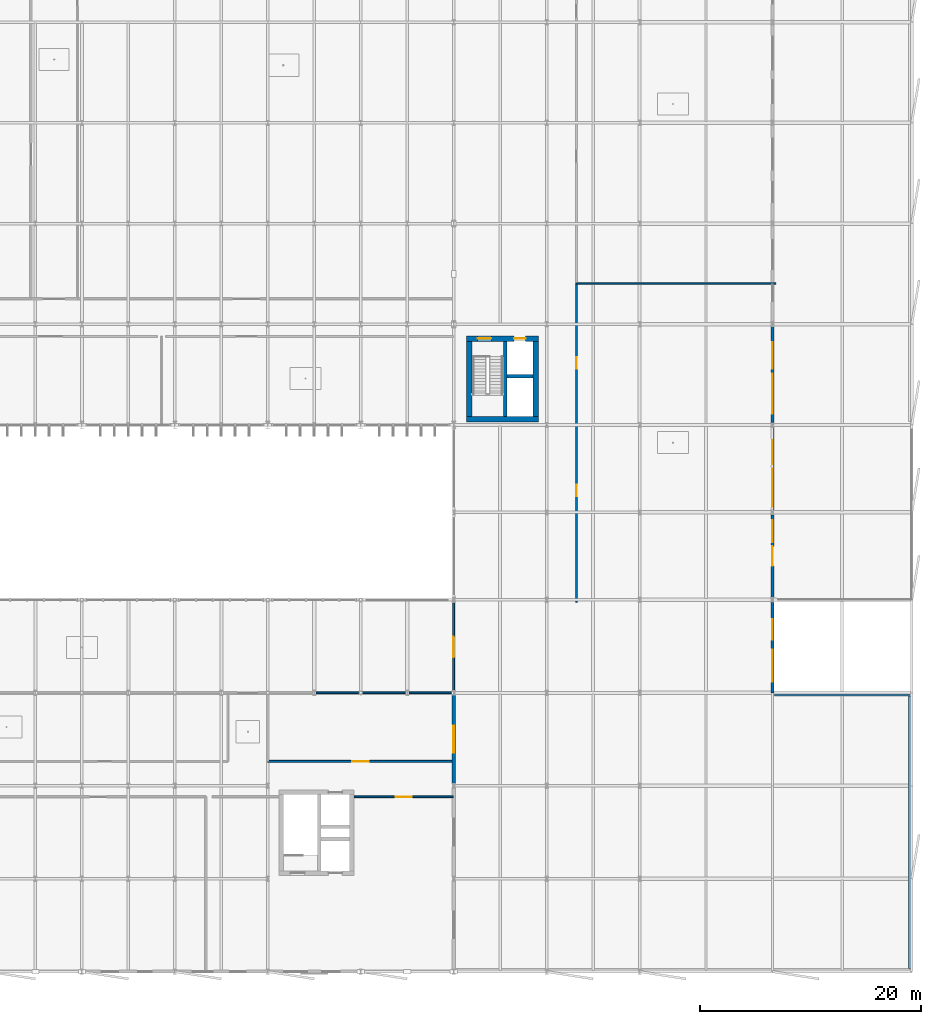
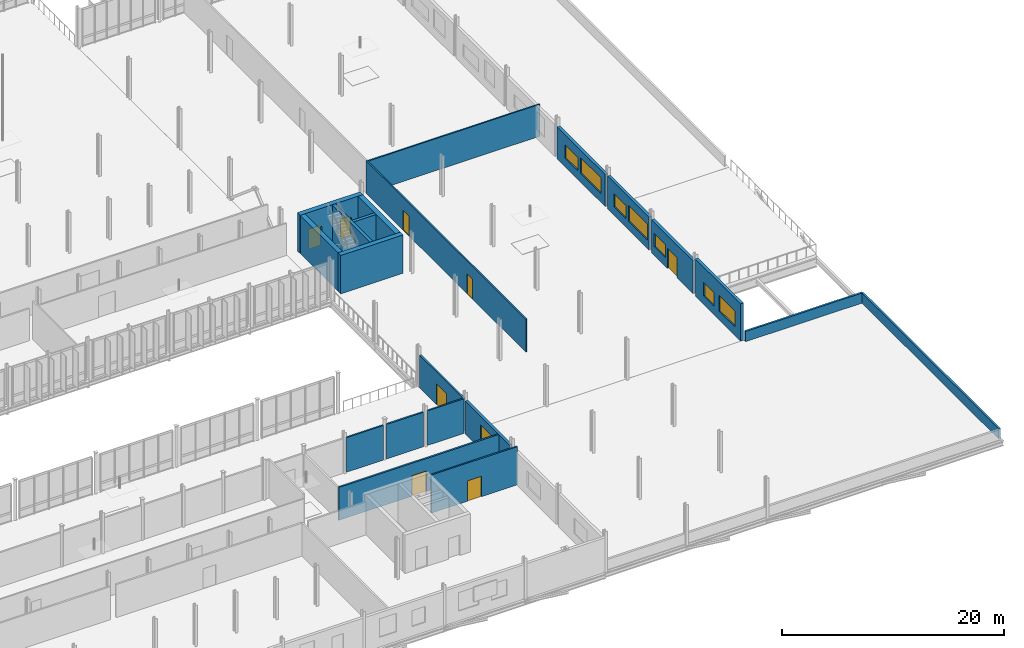
# One storey, part 107 of 139: 21 walls, 8 doors, 8 windows, 16 openings.
"""IFC4 building model written with IfcOpenShell, lengths in metres."""

from ifc_helpers import new_model, si_unit, derived_unit, direction, frame, frame_2d, origin, place, context, subcontext, project, spatial, rectangle, extrude, material, layer, layer_set, type_object, element, fill, save


model = new_model("IFC4")

# Units and contexts
model_context = context("Model", 3, precision=1e-05, world=origin(), true_north=direction((0.0, 1.0)))
body_context = subcontext(model_context, "Body", "Model", "MODEL_VIEW")
ifc_project = project(units=[si_unit("LENGTHUNIT", "METRE"), si_unit("AREAUNIT", "SQUARE_METRE"), si_unit("VOLUMEUNIT", "CUBIC_METRE"), si_unit("PLANEANGLEUNIT", "RADIAN"), si_unit("MASSUNIT", "GRAM", prefix="KILO"), derived_unit("THERMALTRANSMITTANCEUNIT", [(si_unit("MASSUNIT", "GRAM", prefix="KILO"), 1), (si_unit("TIMEUNIT", "SECOND"), -3), (si_unit("THERMODYNAMICTEMPERATUREUNIT", "KELVIN"), -1)])], contexts=[model_context])

# Site, building, storey
site_placement = place(None, origin())
site = spatial("IfcSite", under=ifc_project, at=site_placement, CompositionType="ELEMENT")
building_placement = place(site_placement, origin())
building = spatial("IfcBuilding", under=site, at=building_placement, Name="Makaiwela Harbour Ferry Terminal", CompositionType="ELEMENT")
storey_placement = place(building_placement, frame((0.0, 0.0, 5.10009765625)))
storey = spatial("IfcBuildingStorey", under=building, at=storey_placement, Name="L01", CompositionType="ELEMENT", Elevation=5.10009765625)

# Wall, opening, window
ifc_material_1 = material(Name="Precast concrete f'c 40 MPa (6000 psi)", Category="concrete")
ifc_layer_1 = layer(ifc_material_1, 0.280029296875)
ifc_layer_set_1 = layer_set([ifc_layer_1], Name="Precast concrete f'c 40 MPa (6000 psi)")
wall_type_1 = type_object("IfcWallType", Name="ENV-WL-EXT280", PredefinedType="SOLIDWALL", material=ifc_layer_set_1)
wall_1_placement = place(storey_placement, frame((138.60009765625, 24.982421875, 0.0), z_axis=(0.0, 0.0, 1.0), x_axis=(0.0, -1.0, 0.0)))
wall_1 = element("IfcWall", 1, at=wall_1_placement, inside=storey, type_object=wall_type_1, Name="Exterior Wall EW-048", PredefinedType="SOLIDWALL", context=body_context, shape_type="SweptSolid", body=[
    extrude(rectangle(XDim=7.96484375, YDim=0.280029296875, at=frame_2d((3.982421875, 0.0))), origin(), (0.0, 0.0, 1.0), 3.622802734375),
])
opening_1_placement = place(wall_1_placement, frame((2.782470703125, 0.0, 0.949951171875)))
opening_1 = element("IfcOpeningElement", 2, at=opening_1_placement, cuts=wall_1, Name="Opening W-25", PredefinedType="OPENING", context=body_context, shape_type="SweptSolid", body=[
    extrude(rectangle(XDim=2.39990234375, YDim=1.75, at=frame_2d((1.199951171875, 0.875))), frame((0.0, 0.14990234375, 0.0), z_axis=(0.0, -1.0, 0.0), x_axis=(1.0, 0.0, 0.0)), (0.0, 0.0, 1.0), 0.300048828125),
])
ifc_material_2 = material(Name="Laminated hurricane-impact low-E insulated glazing", Category="glass")
window_type_1 = type_object("IfcWindowType", Name="ENV-WIN-25", PartitioningType="SINGLE_PANEL", PredefinedType="WINDOW", material=ifc_material_2)
window_1_placement = place(opening_1_placement, origin())
window_1 = element("IfcWindow", 3, at=window_1_placement, inside=storey, type_object=window_type_1, Name="Exterior Window W-25", OverallHeight=1.75, OverallWidth=2.39990234375, PartitioningType="SINGLE_PANEL", PredefinedType="WINDOW", context=body_context, shape_type="SweptSolid", body=[
    extrude(rectangle(XDim=2.39990234375, YDim=1.75, at=frame_2d((1.199951171875, 0.875))), frame((0.0, 0.030029296875, 0.0), z_axis=(0.0, -1.0, 0.0), x_axis=(1.0, 0.0, 0.0)), (0.0, 0.0, 1.0), 0.06005859375),
])
fill(opening_1, window_1)

# Wall, openings, windows
ifc_material_3 = material(Name="Precast concrete f'c 40 MPa (6000 psi) with Hawaiian basalt rainscreen", Category="masonry")
ifc_layer_2 = layer(ifc_material_3, 0.300048828125)
ifc_layer_set_2 = layer_set([ifc_layer_2], Name="Precast concrete f'c 40 MPa (6000 psi) with Hawaiian basalt rainscreen")
wall_type_2 = type_object("IfcWallType", Name="ENV-WL-EXT300", PredefinedType="SOLIDWALL", material=ifc_layer_set_2)
wall_2_placement = place(storey_placement, frame((167.39990234375, 33.37646484375, 0.0), z_axis=(0.0, 0.0, 1.0), x_axis=(0.0, -1.0, 0.0)))
wall_2 = element("IfcWall", 4, at=wall_2_placement, inside=storey, type_object=wall_type_2, Name="Exterior Wall EW-053", PredefinedType="SOLIDWALL", context=body_context, shape_type="SweptSolid", body=[
    extrude(rectangle(XDim=8.176513671875, YDim=0.300048828125, at=frame_2d((4.08837890625, 0.0))), origin(), (0.0, 0.0, 1.0), 4.099853515625),
])
opening_2_placement = place(wall_2_placement, frame((1.52783203125, 0.0, 0.949951171875)))
opening_2 = element("IfcOpeningElement", 5, at=opening_2_placement, cuts=wall_2, Name="Opening W-12", PredefinedType="OPENING", context=body_context, shape_type="SweptSolid", body=[
    extrude(rectangle(XDim=1.85009765625, YDim=1.449951171875, at=frame_2d((0.925048828125, 0.72509765625))), frame((0.0, 0.159912109375, 0.0), z_axis=(0.0, -1.0, 0.0), x_axis=(1.0, 0.0, 0.0)), (0.0, 0.0, 1.0), 0.320068359375),
])
opening_3_placement = place(wall_2_placement, frame((4.273681640625, 0.0, 0.949951171875)))
opening_3 = element("IfcOpeningElement", 6, at=opening_3_placement, cuts=wall_2, Name="Opening W-27", PredefinedType="OPENING", context=body_context, shape_type="SweptSolid", body=[
    extrude(rectangle(XDim=2.89990234375, YDim=1.75, at=frame_2d((1.449951171875, 0.875))), frame((0.0, 0.159912109375, 0.0), z_axis=(0.0, -1.0, 0.0), x_axis=(1.0, 0.0, 0.0)), (0.0, 0.0, 1.0), 0.320068359375),
])
window_type_2 = type_object("IfcWindowType", Name="ENV-WIN-12", PartitioningType="SINGLE_PANEL", PredefinedType="WINDOW", material=ifc_material_2)
window_2_placement = place(opening_2_placement, origin())
window_2 = element("IfcWindow", 7, at=window_2_placement, inside=storey, type_object=window_type_2, Name="Exterior Window W-12", OverallHeight=1.449951171875, OverallWidth=1.85009765625, PartitioningType="SINGLE_PANEL", PredefinedType="WINDOW", context=body_context, shape_type="SweptSolid", body=[
    extrude(rectangle(XDim=1.85009765625, YDim=1.449951171875, at=frame_2d((0.925048828125, 0.72509765625))), frame((0.0, 0.030029296875, 0.0), z_axis=(0.0, -1.0, 0.0), x_axis=(1.0, 0.0, 0.0)), (0.0, 0.0, 1.0), 0.06005859375),
])
fill(opening_2, window_2)
window_type_3 = type_object("IfcWindowType", Name="ENV-WIN-27", PartitioningType="SINGLE_PANEL", PredefinedType="WINDOW", material=ifc_material_2)
window_3_placement = place(opening_3_placement, origin())
window_3 = element("IfcWindow", 8, at=window_3_placement, inside=storey, type_object=window_type_3, Name="Exterior Window W-27", OverallHeight=1.75, OverallWidth=2.89990234375, PartitioningType="SINGLE_PANEL", PredefinedType="WINDOW", context=body_context, shape_type="SweptSolid", body=[
    extrude(rectangle(XDim=2.89990234375, YDim=1.75, at=frame_2d((1.449951171875, 0.875))), frame((0.0, 0.030029296875, 0.0), z_axis=(0.0, -1.0, 0.0), x_axis=(1.0, 0.0, 0.0)), (0.0, 0.0, 1.0), 0.06005859375),
])
fill(opening_3, window_3)

# Wall, openings, door, window
wall_3_placement = place(storey_placement, frame((167.39990234375, 41.276611328125, 0.0), z_axis=(0.0, 0.0, 1.0), x_axis=(0.0, -1.0, 0.0)))
wall_3 = element("IfcWall", 9, at=wall_3_placement, inside=storey, type_object=wall_type_2, Name="Exterior Wall EW-055", PredefinedType="SOLIDWALL", context=body_context, shape_type="SweptSolid", body=[
    extrude(rectangle(XDim=7.453125, YDim=0.300048828125, at=frame_2d((3.7265625, 0.0))), origin(), (0.0, 0.0, 1.0), 3.622802734375),
])
opening_4_placement = place(wall_3_placement, frame((2.8515625, 0.0, 0.0)))
opening_4 = element("IfcOpeningElement", 10, at=opening_4_placement, cuts=wall_3, Name="Opening ED-07", PredefinedType="OPENING", context=body_context, shape_type="SweptSolid", body=[
    extrude(rectangle(XDim=1.75, YDim=2.25, at=frame_2d((0.875, 1.125))), frame((0.0, 0.159912109375, 0.0), z_axis=(0.0, -1.0, 0.0), x_axis=(1.0, 0.0, 0.0)), (0.0, 0.0, 1.0), 0.320068359375),
])
opening_5_placement = place(wall_3_placement, frame((0.490478515625, 0.0, 0.949951171875)))
opening_5 = element("IfcOpeningElement", 11, at=opening_5_placement, cuts=wall_3, Name="Opening W-13", PredefinedType="OPENING", context=body_context, shape_type="SweptSolid", body=[
    extrude(rectangle(XDim=2.0, YDim=1.449951171875, at=frame_2d((1.0, 0.72509765625))), frame((0.0, 0.159912109375, 0.0), z_axis=(0.0, -1.0, 0.0), x_axis=(1.0, 0.0, 0.0)), (0.0, 0.0, 1.0), 0.320068359375),
])
ifc_material_4 = material(Name="Marine anodised aluminium 6063-T6", Category="aluminium")
door_type_1 = type_object("IfcDoorType", Name="ENV-DR-TER175", OperationType="NOTDEFINED", PredefinedType="DOOR", material=ifc_material_4)
door_1_placement = place(opening_4_placement, origin())
door_1 = element("IfcDoor", 12, at=door_1_placement, inside=storey, type_object=door_type_1, Name="Exterior Door ED-07", OperationType="DOUBLE_DOOR_SINGLE_SWING", OverallHeight=2.25, OverallWidth=1.75, PredefinedType="DOOR", context=body_context, shape_type="SweptSolid", body=[
    extrude(rectangle(XDim=1.75, YDim=2.25, at=frame_2d((0.875, 1.125))), frame((0.0, 0.02490234375, 0.0), z_axis=(0.0, -1.0, 0.0), x_axis=(1.0, 0.0, 0.0)), (0.0, 0.0, 1.0), 0.050048828125),
])
fill(opening_4, door_1)
window_type_4 = type_object("IfcWindowType", Name="ENV-WIN-13", PartitioningType="SINGLE_PANEL", PredefinedType="WINDOW", material=ifc_material_2)
window_4_placement = place(opening_5_placement, origin())
window_4 = element("IfcWindow", 13, at=window_4_placement, inside=storey, type_object=window_type_4, Name="Exterior Window W-13", OverallHeight=1.449951171875, OverallWidth=2.0, PartitioningType="SINGLE_PANEL", PredefinedType="WINDOW", context=body_context, shape_type="SweptSolid", body=[
    extrude(rectangle(XDim=2.0, YDim=1.449951171875, at=frame_2d((1.0, 0.72509765625))), frame((0.0, 0.030029296875, 0.0), z_axis=(0.0, -1.0, 0.0), x_axis=(1.0, 0.0, 0.0)), (0.0, 0.0, 1.0), 0.06005859375),
])
fill(opening_5, window_4)

# Wall, openings, windows
wall_4_placement = place(storey_placement, frame((167.39990234375, 49.176513671875, 0.0), z_axis=(0.0, 0.0, 1.0), x_axis=(0.0, -1.0, 0.0)))
wall_4 = element("IfcWall", 14, at=wall_4_placement, inside=storey, type_object=wall_type_2, Name="Exterior Wall EW-057", PredefinedType="SOLIDWALL", context=body_context, shape_type="SweptSolid", body=[
    extrude(rectangle(XDim=7.453125, YDim=0.300048828125, at=frame_2d((3.7265625, 0.0))), origin(), (0.0, 0.0, 1.0), 3.622802734375),
])
opening_6_placement = place(wall_4_placement, frame((1.135986328125, 0.0, 0.949951171875)))
opening_6 = element("IfcOpeningElement", 15, at=opening_6_placement, cuts=wall_4, Name="Opening W-14", PredefinedType="OPENING", context=body_context, shape_type="SweptSolid", body=[
    extrude(rectangle(XDim=2.199951171875, YDim=1.449951171875, at=frame_2d((1.10009765625, 0.72509765625))), frame((0.0, 0.159912109375, 0.0), z_axis=(0.0, -1.0, 0.0), x_axis=(1.0, 0.0, 0.0)), (0.0, 0.0, 1.0), 0.320068359375),
])
opening_7_placement = place(wall_4_placement, frame((3.7529296875, 0.0, 0.949951171875)))
opening_7 = element("IfcOpeningElement", 16, at=opening_7_placement, cuts=wall_4, Name="Opening W-29", PredefinedType="OPENING", context=body_context, shape_type="SweptSolid", body=[
    extrude(rectangle(XDim=3.39990234375, YDim=1.75, at=frame_2d((1.699951171875, 0.875))), frame((0.0, 0.159912109375, 0.0), z_axis=(0.0, -1.0, 0.0), x_axis=(1.0, 0.0, 0.0)), (0.0, 0.0, 1.0), 0.320068359375),
])
window_type_5 = type_object("IfcWindowType", Name="ENV-WIN-14", PartitioningType="SINGLE_PANEL", PredefinedType="WINDOW", material=ifc_material_2)
window_5_placement = place(opening_6_placement, origin())
window_5 = element("IfcWindow", 17, at=window_5_placement, inside=storey, type_object=window_type_5, Name="Exterior Window W-14", OverallHeight=1.449951171875, OverallWidth=2.199951171875, PartitioningType="SINGLE_PANEL", PredefinedType="WINDOW", context=body_context, shape_type="SweptSolid", body=[
    extrude(rectangle(XDim=2.199951171875, YDim=1.449951171875, at=frame_2d((1.10009765625, 0.72509765625))), frame((0.0, 0.030029296875, 0.0), z_axis=(0.0, -1.0, 0.0), x_axis=(1.0, 0.0, 0.0)), (0.0, 0.0, 1.0), 0.06005859375),
])
fill(opening_6, window_5)
window_type_6 = type_object("IfcWindowType", Name="ENV-WIN-29", PartitioningType="SINGLE_PANEL", PredefinedType="WINDOW", material=ifc_material_2)
window_6_placement = place(opening_7_placement, origin())
window_6 = element("IfcWindow", 18, at=window_6_placement, inside=storey, type_object=window_type_6, Name="Exterior Window W-29", OverallHeight=1.75, OverallWidth=3.39990234375, PartitioningType="SINGLE_PANEL", PredefinedType="WINDOW", context=body_context, shape_type="SweptSolid", body=[
    extrude(rectangle(XDim=3.39990234375, YDim=1.75, at=frame_2d((1.699951171875, 0.875))), frame((0.0, 0.030029296875, 0.0), z_axis=(0.0, -1.0, 0.0), x_axis=(1.0, 0.0, 0.0)), (0.0, 0.0, 1.0), 0.06005859375),
])
fill(opening_7, window_6)

wall_5_placement = place(storey_placement, frame((167.39990234375, 58.276611328125, 0.0), z_axis=(0.0, 0.0, 1.0), x_axis=(0.0, -1.0, 0.0)))
wall_5 = element("IfcWall", 19, at=wall_5_placement, inside=storey, type_object=wall_type_2, Name="Exterior Wall EW-059", PredefinedType="SOLIDWALL", context=body_context, shape_type="SweptSolid", body=[
    extrude(rectangle(XDim=8.653076171875, YDim=0.300048828125, at=frame_2d((4.32666015625, 0.0))), origin(), (0.0, 0.0, 1.0), 3.52197265625),
])
opening_8_placement = place(wall_5_placement, frame((1.39599609375, 0.0, 0.949951171875)))
opening_8 = element("IfcOpeningElement", 20, at=opening_8_placement, cuts=wall_5, Name="Opening W-15", PredefinedType="OPENING", context=body_context, shape_type="SweptSolid", body=[
    extrude(rectangle(XDim=2.39990234375, YDim=1.449951171875, at=frame_2d((1.199951171875, 0.72509765625))), frame((0.0, 0.159912109375, 0.0), z_axis=(0.0, -1.0, 0.0), x_axis=(1.0, 0.0, 0.0)), (0.0, 0.0, 1.0), 0.320068359375),
])
opening_9_placement = place(wall_5_placement, frame((4.232177734375, 0.0, 0.949951171875)))
opening_9 = element("IfcOpeningElement", 21, at=opening_9_placement, cuts=wall_5, Name="Opening W-30", PredefinedType="OPENING", context=body_context, shape_type="SweptSolid", body=[
    extrude(rectangle(XDim=3.64990234375, YDim=1.75, at=frame_2d((1.824951171875, 0.875))), frame((0.0, 0.159912109375, 0.0), z_axis=(0.0, -1.0, 0.0), x_axis=(1.0, 0.0, 0.0)), (0.0, 0.0, 1.0), 0.320068359375),
])
window_type_7 = type_object("IfcWindowType", Name="ENV-WIN-15", PartitioningType="SINGLE_PANEL", PredefinedType="WINDOW", material=ifc_material_2)
window_7_placement = place(opening_8_placement, origin())
window_7 = element("IfcWindow", 22, at=window_7_placement, inside=storey, type_object=window_type_7, Name="Exterior Window W-15", OverallHeight=1.449951171875, OverallWidth=2.39990234375, PartitioningType="SINGLE_PANEL", PredefinedType="WINDOW", context=body_context, shape_type="SweptSolid", body=[
    extrude(rectangle(XDim=2.39990234375, YDim=1.449951171875, at=frame_2d((1.199951171875, 0.72509765625))), frame((0.0, 0.030029296875, 0.0), z_axis=(0.0, -1.0, 0.0), x_axis=(1.0, 0.0, 0.0)), (0.0, 0.0, 1.0), 0.06005859375),
])
fill(opening_8, window_7)
window_type_8 = type_object("IfcWindowType", Name="ENV-WIN-30", PartitioningType="SINGLE_PANEL", PredefinedType="WINDOW", material=ifc_material_2)
window_8_placement = place(opening_9_placement, origin())
window_8 = element("IfcWindow", 23, at=window_8_placement, inside=storey, type_object=window_type_8, Name="Exterior Window W-30", OverallHeight=1.75, OverallWidth=3.64990234375, PartitioningType="SINGLE_PANEL", PredefinedType="WINDOW", context=body_context, shape_type="SweptSolid", body=[
    extrude(rectangle(XDim=3.64990234375, YDim=1.75, at=frame_2d((1.824951171875, 0.875))), frame((0.0, 0.030029296875, 0.0), z_axis=(0.0, -1.0, 0.0), x_axis=(1.0, 0.0, 0.0)), (0.0, 0.0, 1.0), 0.06005859375),
])
fill(opening_9, window_8)

# Walls
ifc_layer_3 = layer(ifc_material_1, 0.199951171875)
ifc_layer_set_3 = layer_set([ifc_layer_3], Name="Precast concrete f'c 40 MPa (6000 psi)")
wall_type_3 = type_object("IfcWallType", Name="ENV-WL-PAR200", PredefinedType="PARAPET", material=ifc_layer_set_3)
wall_6_placement = place(storey_placement, frame((179.800048828125, 0.31005859375, 0.0), z_axis=(0.0, 0.0, 1.0), x_axis=(0.0, 1.0, 0.0)))
element("IfcWall", 24, at=wall_6_placement, inside=storey, type_object=wall_type_3, Name="Roof Parapet Wall PW-002", PredefinedType="PARAPET", context=body_context, shape_type="SweptSolid", body=[
    extrude(rectangle(XDim=24.579833984375, YDim=0.199951171875, at=frame_2d((12.2900390625, 0.0))), origin(), (0.0, 0.0, 1.0), 1.119873046875),
])
wall_7_placement = place(storey_placement, frame((179.800048828125, 25.0, 0.0), z_axis=(0.0, 0.0, 1.0), x_axis=(-1.0, 0.0, 0.0)))
element("IfcWall", 25, at=wall_7_placement, inside=storey, type_object=wall_type_3, Name="Roof Parapet Wall PW-003", PredefinedType="PARAPET", context=body_context, shape_type="SweptSolid", body=[
    extrude(rectangle(XDim=12.199951171875, YDim=0.199951171875, at=frame_2d((6.10009765625, 0.0))), origin(), (0.0, 0.0, 1.0), 1.119873046875),
])
ifc_material_5 = material(Name="Fire-rated gypsum board on steel studs", Category="steel")
ifc_layer_4 = layer(ifc_material_5, 0.1650390625)
ifc_layer_set_4 = layer_set([ifc_layer_4], Name="Fire-rated gypsum board on steel studs")
wall_type_4 = type_object("IfcWallType", Name="INT-WL-FIR165", PredefinedType="PARTITIONING", material=ifc_layer_set_4)
wall_8_placement = place(storey_placement, frame((126.199462890625, 25.199951171875, 0.0), z_axis=(0.0, 0.0, 1.0), x_axis=(1.0, 0.0, 0.0)))
element("IfcWall", 26, at=wall_8_placement, inside=storey, type_object=wall_type_4, Name="Interior Wall IW-0524", PredefinedType="PARTITIONING", context=body_context, shape_type="SweptSolid", body=[
    extrude(rectangle(XDim=3.8486328125, YDim=0.1650390625, at=frame_2d((1.92431640625, 0.0))), origin(), (0.0, 0.0, 1.0), 3.803955078125),
])
wall_9_placement = place(storey_placement, frame((130.35205078125, 25.199951171875, 0.0), z_axis=(0.0, 0.0, 1.0), x_axis=(1.0, 0.0, 0.0)))
element("IfcWall", 27, at=wall_9_placement, inside=storey, type_object=wall_type_4, Name="Interior Wall IW-0525", PredefinedType="PARTITIONING", context=body_context, shape_type="SweptSolid", body=[
    extrude(rectangle(XDim=3.848388671875, YDim=0.1650390625, at=frame_2d((1.92431640625, 0.0))), origin(), (0.0, 0.0, 1.0), 3.803955078125),
])
wall_10_placement = place(storey_placement, frame((134.599609375, 25.199951171875, 0.0), z_axis=(0.0, 0.0, 1.0), x_axis=(1.0, 0.0, 0.0)))
element("IfcWall", 28, at=wall_10_placement, inside=storey, type_object=wall_type_4, Name="Interior Wall IW-0526", PredefinedType="PARTITIONING", context=body_context, shape_type="SweptSolid", body=[
    extrude(rectangle(XDim=3.80029296875, YDim=0.1650390625, at=frame_2d((1.900146484375, 0.0))), origin(), (0.0, 0.0, 1.0), 3.803955078125),
])

# Wall, opening, door
wall_11_placement = place(storey_placement, frame((129.60009765625, 15.800048828125, 0.0), z_axis=(0.0, 0.0, 1.0), x_axis=(1.0, 0.0, 0.0)))
wall_11 = element("IfcWall", 29, at=wall_11_placement, inside=storey, type_object=wall_type_4, Name="Interior Wall IW-0532", PredefinedType="PARTITIONING", context=body_context, shape_type="SweptSolid", body=[
    extrude(rectangle(XDim=8.9599609375, YDim=0.1650390625, at=frame_2d((4.47998046875, 0.0))), origin(), (0.0, 0.0, 1.0), 4.199951171875),
])
opening_10_placement = place(wall_11_placement, frame((3.7548828125, 0.0, 0.0)))
opening_10 = element("IfcOpeningElement", 30, at=opening_10_placement, cuts=wall_11, Name="Opening D-16", PredefinedType="OPENING", context=body_context, shape_type="SweptSolid", body=[
    extrude(rectangle(XDim=1.449951171875, YDim=2.25, at=frame_2d((0.72509765625, 1.125))), frame((0.0, 0.092529296875, 0.0), z_axis=(0.0, -1.0, 0.0), x_axis=(1.0, 0.0, 0.0)), (0.0, 0.0, 1.0), 0.18505859375),
])
ifc_material_6 = material(Name="Insulated galvanised fire-rated steel leaf and frame", Category="steel")
door_type_2 = type_object("IfcDoorType", Name="INT-DR-STR145", OperationType="NOTDEFINED", PredefinedType="DOOR", material=ifc_material_6)
door_2_placement = place(opening_10_placement, origin())
door_2 = element("IfcDoor", 31, at=door_2_placement, inside=storey, type_object=door_type_2, Name="Door D-16", OperationType="SINGLE_SWING_RIGHT", OverallHeight=2.25, OverallWidth=1.449951171875, PredefinedType="DOOR", context=body_context, shape_type="SweptSolid", body=[
    extrude(rectangle(XDim=1.449951171875, YDim=2.25, at=frame_2d((0.72509765625, 1.125))), frame((0.0, 0.02490234375, 0.0), z_axis=(0.0, -1.0, 0.0), x_axis=(1.0, 0.0, 0.0)), (0.0, 0.0, 1.0), 0.050048828125),
])
fill(opening_10, door_2)

ifc_layer_5 = layer(ifc_material_5, 0.179931640625)
ifc_layer_set_5 = layer_set([ifc_layer_5], Name="Fire-rated gypsum board on steel studs")
wall_type_5 = type_object("IfcWallType", Name="INT-WL-FIR180", PredefinedType="PARTITIONING", material=ifc_layer_set_5)
wall_12_placement = place(storey_placement, frame((138.60009765625, 25.39990234375, 0.0), z_axis=(0.0, 0.0, 1.0), x_axis=(0.0, 1.0, 0.0)))
wall_12 = element("IfcWall", 32, at=wall_12_placement, inside=storey, type_object=wall_type_5, Name="Interior Wall IW-0510", PredefinedType="PARTITIONING", context=body_context, shape_type="SweptSolid", body=[
    extrude(rectangle(XDim=7.900146484375, YDim=0.179931640625, at=frame_2d((3.9501953125, 0.0))), origin(), (0.0, 0.0, 1.0), 3.622802734375),
])
opening_11_placement = place(wall_12_placement, frame((3.02490234375, 0.0, 0.0)))
opening_11 = element("IfcOpeningElement", 33, at=opening_11_placement, cuts=wall_12, Name="Opening D-05", PredefinedType="OPENING", context=body_context, shape_type="SweptSolid", body=[
    extrude(rectangle(XDim=1.85009765625, YDim=2.300048828125, at=frame_2d((0.925048828125, 1.14990234375))), frame((0.0, 0.099853515625, 0.0), z_axis=(0.0, -1.0, 0.0), x_axis=(1.0, 0.0, 0.0)), (0.0, 0.0, 1.0), 0.199951171875),
])
door_type_3 = type_object("IfcDoorType", Name="INT-DR-COR185", OperationType="NOTDEFINED", PredefinedType="DOOR", material=ifc_material_6)
door_3_placement = place(opening_11_placement, origin())
door_3 = element("IfcDoor", 34, at=door_3_placement, inside=storey, type_object=door_type_3, Name="Door D-05", OperationType="DOUBLE_DOOR_SINGLE_SWING", OverallHeight=2.300048828125, OverallWidth=1.85009765625, PredefinedType="DOOR", context=body_context, shape_type="SweptSolid", body=[
    extrude(rectangle(XDim=1.85009765625, YDim=2.300048828125, at=frame_2d((0.925048828125, 1.14990234375))), frame((0.0, 0.02490234375, 0.0), z_axis=(0.0, -1.0, 0.0), x_axis=(1.0, 0.0, 0.0)), (0.0, 0.0, 1.0), 0.050048828125),
])
fill(opening_11, door_3)

wall_13_placement = place(storey_placement, frame((121.800048828125, 19.0, 0.0), z_axis=(0.0, 0.0, 1.0), x_axis=(1.0, 0.0, 0.0)))
wall_13 = element("IfcWall", 35, at=wall_13_placement, inside=storey, type_object=wall_type_5, Name="Interior Wall IW-0535", PredefinedType="PARTITIONING", context=body_context, shape_type="SweptSolid", body=[
    extrude(rectangle(XDim=16.760009765625, YDim=0.179931640625, at=frame_2d((8.3798828125, 0.0))), origin(), (0.0, 0.0, 1.0), 3.622802734375),
])
opening_12_placement = place(wall_13_placement, frame((7.6298828125, 0.0, 0.0)))
opening_12 = element("IfcOpeningElement", 36, at=opening_12_placement, cuts=wall_13, Name="Opening D-06", PredefinedType="OPENING", context=body_context, shape_type="SweptSolid", body=[
    extrude(rectangle(XDim=1.5, YDim=2.25, at=frame_2d((0.75, 1.125))), frame((0.0, 0.099853515625, 0.0), z_axis=(0.0, -1.0, 0.0), x_axis=(1.0, 0.0, 0.0)), (0.0, 0.0, 1.0), 0.199951171875),
])
door_type_4 = type_object("IfcDoorType", Name="INT-DR-PLT150", OperationType="NOTDEFINED", PredefinedType="DOOR", material=ifc_material_6)
door_4_placement = place(opening_12_placement, frame((1.5, 0.0, 0.0), z_axis=(0.0, 0.0, 1.0), x_axis=(-1.0, 0.0, 0.0)))
door_4 = element("IfcDoor", 37, at=door_4_placement, inside=storey, type_object=door_type_4, Name="Door D-06", OperationType="SINGLE_SWING_LEFT", OverallHeight=2.25, OverallWidth=1.5, PredefinedType="DOOR", context=body_context, shape_type="SweptSolid", body=[
    extrude(rectangle(XDim=1.5, YDim=2.25, at=frame_2d((0.75, 1.125))), frame((0.0, 0.02490234375, 0.0), z_axis=(0.0, -1.0, 0.0), x_axis=(1.0, 0.0, 0.0)), (0.0, 0.0, 1.0), 0.050048828125),
])
fill(opening_12, door_4)

# Wall
ifc_material_7 = material(Name="Moisture-resistant acoustic gypsum partition", Category="gypsum")
ifc_layer_6 = layer(ifc_material_7, 0.139892578125)
ifc_layer_set_6 = layer_set([ifc_layer_6], Name="Moisture-resistant acoustic gypsum partition")
wall_type_6 = type_object("IfcWallType", Name="INT-WL-PRT140", PredefinedType="PARTITIONING", material=ifc_layer_set_6)
wall_14_placement = place(storey_placement, frame((149.699951171875, 62.199951171875, 0.0), z_axis=(0.0, 0.0, 1.0), x_axis=(1.0, 0.0, 0.0)))
element("IfcWall", 38, at=wall_14_placement, inside=storey, type_object=wall_type_6, Name="Interior Wall IW-0538", PredefinedType="PARTITIONING", context=body_context, shape_type="SweptSolid", body=[
    extrude(rectangle(XDim=18.0, YDim=0.139892578125, at=frame_2d((9.0, 0.0))), origin(), (0.0, 0.0, 1.0), 3.52197265625),
])

# Wall, openings, doors
ifc_layer_7 = layer(ifc_material_7, 0.14990234375)
ifc_layer_set_7 = layer_set([ifc_layer_7], Name="Moisture-resistant acoustic gypsum partition")
wall_type_7 = type_object("IfcWallType", Name="INT-WL-PRT150", PredefinedType="PARTITIONING", material=ifc_layer_set_7)
wall_15_placement = place(storey_placement, frame((149.699951171875, 33.39990234375, 0.0), z_axis=(0.0, 0.0, 1.0), x_axis=(0.0, 1.0, 0.0)))
wall_15 = element("IfcWall", 39, at=wall_15_placement, inside=storey, type_object=wall_type_7, Name="Interior Wall IW-0536", PredefinedType="PARTITIONING", context=body_context, shape_type="SweptSolid", body=[
    extrude(rectangle(XDim=28.800048828125, YDim=0.14990234375, at=frame_2d((14.39990234375, 0.0))), origin(), (0.0, 0.0, 1.0), 3.602783203125),
])
opening_13_placement = place(wall_15_placement, frame((9.570068359375, 0.0, 0.0)))
opening_13 = element("IfcOpeningElement", 40, at=opening_13_placement, cuts=wall_15, Name="Opening D-13", PredefinedType="OPENING", context=body_context, shape_type="SweptSolid", body=[
    extrude(rectangle(XDim=1.02001953125, YDim=2.199951171875, at=frame_2d((0.510009765625, 1.10009765625))), frame((0.0, 0.0849609375, 0.0), z_axis=(0.0, -1.0, 0.0), x_axis=(1.0, 0.0, 0.0)), (0.0, 0.0, 1.0), 0.169921875),
])
opening_14_placement = place(wall_15_placement, frame((21.06005859375, 0.0, 0.0)))
opening_14 = element("IfcOpeningElement", 41, at=opening_14_placement, cuts=wall_15, Name="Opening D-14", PredefinedType="OPENING", context=body_context, shape_type="SweptSolid", body=[
    extrude(rectangle(XDim=1.080078125, YDim=2.199951171875, at=frame_2d((0.5400390625, 1.10009765625))), frame((0.0, 0.0849609375, 0.0), z_axis=(0.0, -1.0, 0.0), x_axis=(1.0, 0.0, 0.0)), (0.0, 0.0, 1.0), 0.169921875),
])
ifc_material_8 = material(Name="Solid-core marine hardwood and painted steel frame", Category="steel")
door_type_5 = type_object("IfcDoorType", Name="INT-DR-OFF102", OperationType="NOTDEFINED", PredefinedType="DOOR", material=ifc_material_8)
door_5_placement = place(opening_13_placement, frame((1.02001953125, 0.0, 0.0), z_axis=(0.0, 0.0, 1.0), x_axis=(-1.0, 0.0, 0.0)))
door_5 = element("IfcDoor", 42, at=door_5_placement, inside=storey, type_object=door_type_5, Name="Door D-13", OperationType="SINGLE_SWING_RIGHT", OverallHeight=2.199951171875, OverallWidth=1.02001953125, PredefinedType="DOOR", context=body_context, shape_type="SweptSolid", body=[
    extrude(rectangle(XDim=1.02001953125, YDim=2.199951171875, at=frame_2d((0.510009765625, 1.10009765625))), frame((0.0, 0.02490234375, 0.0), z_axis=(0.0, -1.0, 0.0), x_axis=(1.0, 0.0, 0.0)), (0.0, 0.0, 1.0), 0.050048828125),
])
fill(opening_13, door_5)
door_type_6 = type_object("IfcDoorType", Name="INT-DR-OFF108", OperationType="NOTDEFINED", PredefinedType="DOOR", material=ifc_material_8)
door_6_placement = place(opening_14_placement, frame((1.080078125, 0.0, 0.0), z_axis=(0.0, 0.0, 1.0), x_axis=(-1.0, 0.0, 0.0)))
door_6 = element("IfcDoor", 43, at=door_6_placement, inside=storey, type_object=door_type_6, Name="Door D-14", OperationType="SINGLE_SWING_LEFT", OverallHeight=2.199951171875, OverallWidth=1.080078125, PredefinedType="DOOR", context=body_context, shape_type="SweptSolid", body=[
    extrude(rectangle(XDim=1.080078125, YDim=2.199951171875, at=frame_2d((0.5400390625, 1.10009765625))), frame((0.0, 0.02490234375, 0.0), z_axis=(0.0, -1.0, 0.0), x_axis=(1.0, 0.0, 0.0)), (0.0, 0.0, 1.0), 0.050048828125),
])
fill(opening_14, door_6)

# Walls
ifc_material_9 = material(Name="Concrete f'c 45 MPa (6500 psi)", Category="concrete")
ifc_layer_8 = layer(ifc_material_9, 0.320068359375)
ifc_layer_set_8 = layer_set([ifc_layer_8], Name="Concrete f'c 45 MPa (6500 psi)")
wall_type_8 = type_object("IfcWallType", Name="INT-WL-SHR320", PredefinedType="SHEAR", material=ifc_layer_set_8)
wall_16_placement = place(storey_placement, frame((143.239990234375, 50.159912109375, 0.0), z_axis=(0.0, 0.0, 1.0), x_axis=(0.0, 1.0, 0.0)))
element("IfcWall", 44, at=wall_16_placement, inside=storey, type_object=wall_type_8, Name="Interior Wall IW-0200", PredefinedType="SHEAR", context=body_context, shape_type="SweptSolid", body=[
    extrude(rectangle(XDim=6.780029296875, YDim=0.320068359375, at=frame_2d((3.39013671875, 0.0))), origin(), (0.0, 0.0, 1.0), 4.219970703125),
])
wall_17_placement = place(storey_placement, frame((143.405029296875, 53.800048828125, 0.0), z_axis=(0.0, 0.0, 1.0), x_axis=(1.0, 0.0, 0.0)))
element("IfcWall", 45, at=wall_17_placement, inside=storey, type_object=wall_type_8, Name="Interior Wall IW-0201", PredefinedType="SHEAR", context=body_context, shape_type="SweptSolid", body=[
    extrude(rectangle(XDim=2.340087890625, YDim=0.320068359375, at=frame_2d((1.169921875, 0.0))), origin(), (0.0, 0.0, 1.0), 4.219970703125),
])
ifc_layer_9 = layer(ifc_material_9, 0.5)
ifc_layer_set_9 = layer_set([ifc_layer_9], Name="Concrete f'c 45 MPa (6500 psi)")
wall_type_9 = type_object("IfcWallType", Name="INT-WL-SHR500", PredefinedType="SHEAR", material=ifc_layer_set_9)
wall_18_placement = place(storey_placement, frame((139.75, 49.89990234375, 0.0), z_axis=(0.0, 0.0, 1.0), x_axis=(1.0, 0.0, 0.0)))
element("IfcWall", 46, at=wall_18_placement, inside=storey, type_object=wall_type_9, Name="Interior Wall IW-0196", PredefinedType="SHEAR", context=body_context, shape_type="SweptSolid", body=[
    extrude(rectangle(XDim=6.5, YDim=0.5, at=frame_2d((3.25, 0.0))), origin(), (0.0, 0.0, 1.0), 4.219970703125),
])

# Wall, openings, doors
wall_19_placement = place(storey_placement, frame((139.75, 57.199951171875, 0.0), z_axis=(0.0, 0.0, 1.0), x_axis=(1.0, 0.0, 0.0)))
wall_19 = element("IfcWall", 47, at=wall_19_placement, inside=storey, type_object=wall_type_9, Name="Interior Wall IW-0197", PredefinedType="SHEAR", context=body_context, shape_type="SweptSolid", body=[
    extrude(rectangle(XDim=6.5, YDim=0.5, at=frame_2d((3.25, 0.0))), origin(), (0.0, 0.0, 1.0), 4.219970703125),
])
opening_15_placement = place(wall_19_placement, frame((1.0, 0.0, 0.0)))
opening_15 = element("IfcOpeningElement", 48, at=opening_15_placement, cuts=wall_19, Name="Opening D-02", PredefinedType="OPENING", context=body_context, shape_type="SweptSolid", body=[
    extrude(rectangle(XDim=1.25, YDim=2.199951171875, at=frame_2d((0.625, 1.10009765625))), frame((0.0, 0.260009765625, 0.0), z_axis=(0.0, -1.0, 0.0), x_axis=(1.0, 0.0, 0.0)), (0.0, 0.0, 1.0), 0.52001953125),
])
opening_16_placement = place(wall_19_placement, frame((4.2998046875, 0.0, 0.0)))
opening_16 = element("IfcOpeningElement", 49, at=opening_16_placement, cuts=wall_19, Name="Opening LD-01", PredefinedType="OPENING", context=body_context, shape_type="SweptSolid", body=[
    extrude(rectangle(XDim=1.050048828125, YDim=2.14990234375, at=frame_2d((0.52490234375, 1.074951171875))), frame((0.0, 0.260009765625, 0.0), z_axis=(0.0, -1.0, 0.0), x_axis=(1.0, 0.0, 0.0)), (0.0, 0.0, 1.0), 0.52001953125),
])
ifc_material_10 = material(Name="Marine grade 316L brushed stainless steel", Category="steel")
door_type_7 = type_object("IfcDoorType", Name="INT-DR-LD105", OperationType="NOTDEFINED", PredefinedType="DOOR", material=ifc_material_10)
door_7_placement = place(opening_16_placement, origin())
door_7 = element("IfcDoor", 50, at=door_7_placement, inside=storey, type_object=door_type_7, Name="Door LD-01", OperationType="DOUBLE_DOOR_SLIDING", OverallHeight=2.14990234375, OverallWidth=1.050048828125, PredefinedType="DOOR", context=body_context, shape_type="SweptSolid", body=[
    extrude(rectangle(XDim=1.050048828125, YDim=2.14990234375, at=frame_2d((0.52490234375, 1.074951171875))), frame((0.0, 0.02490234375, 0.0), z_axis=(0.0, -1.0, 0.0), x_axis=(1.0, 0.0, 0.0)), (0.0, 0.0, 1.0), 0.050048828125),
])
fill(opening_16, door_7)
door_type_8 = type_object("IfcDoorType", Name="INT-DR-ST125", OperationType="NOTDEFINED", PredefinedType="DOOR", material=ifc_material_6)
door_8_placement = place(opening_15_placement, origin())
door_8 = element("IfcDoor", 51, at=door_8_placement, inside=storey, type_object=door_type_8, Name="Door D-02", OperationType="SINGLE_SWING_LEFT", OverallHeight=2.199951171875, OverallWidth=1.25, PredefinedType="DOOR", context=body_context, shape_type="SweptSolid", body=[
    extrude(rectangle(XDim=1.25, YDim=2.199951171875, at=frame_2d((0.625, 1.10009765625))), frame((0.0, 0.02490234375, 0.0), z_axis=(0.0, -1.0, 0.0), x_axis=(1.0, 0.0, 0.0)), (0.0, 0.0, 1.0), 0.050048828125),
])
fill(opening_15, door_8)

# Walls
for number, where, z_axis, x_axis, name in (
    (52, (140.0, 50.159912109375, 0.0), (0.0, 0.0, 1.0), (0.0, 1.0, 0.0), "Interior Wall IW-0198"),
    (53, (146.0, 50.159912109375, 0.0), (0.0, 0.0, 1.0), (0.0, 1.0, 0.0), "Interior Wall IW-0199"),
):
    element("IfcWall", number, at=place(storey_placement, frame(where, z_axis=z_axis, x_axis=x_axis)), inside=storey, type_object=wall_type_9, Name=name, PredefinedType="SHEAR", context=body_context, shape_type="SweptSolid", body=[
        extrude(rectangle(XDim=6.780029296875, YDim=0.5, at=frame_2d((3.39013671875, 0.0))), origin(), (0.0, 0.0, 1.0), 4.219970703125),
    ])

save(model, "model.ifc")
